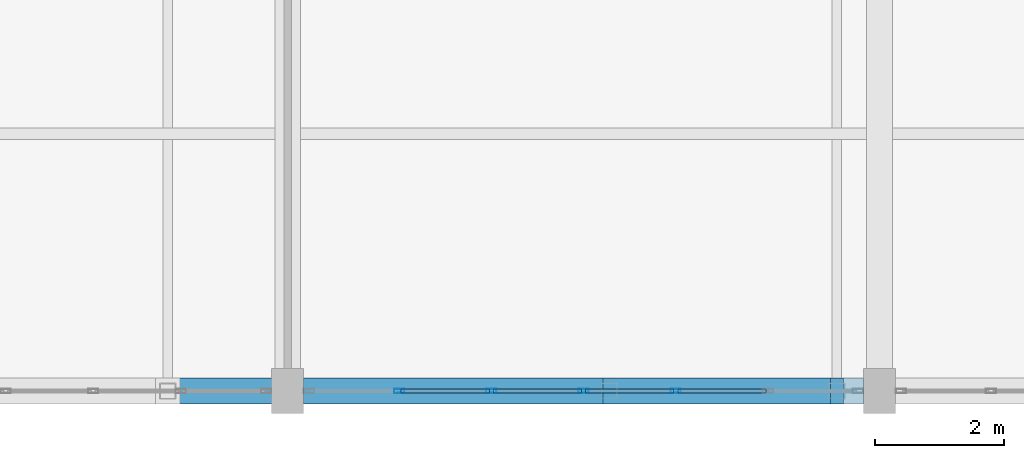
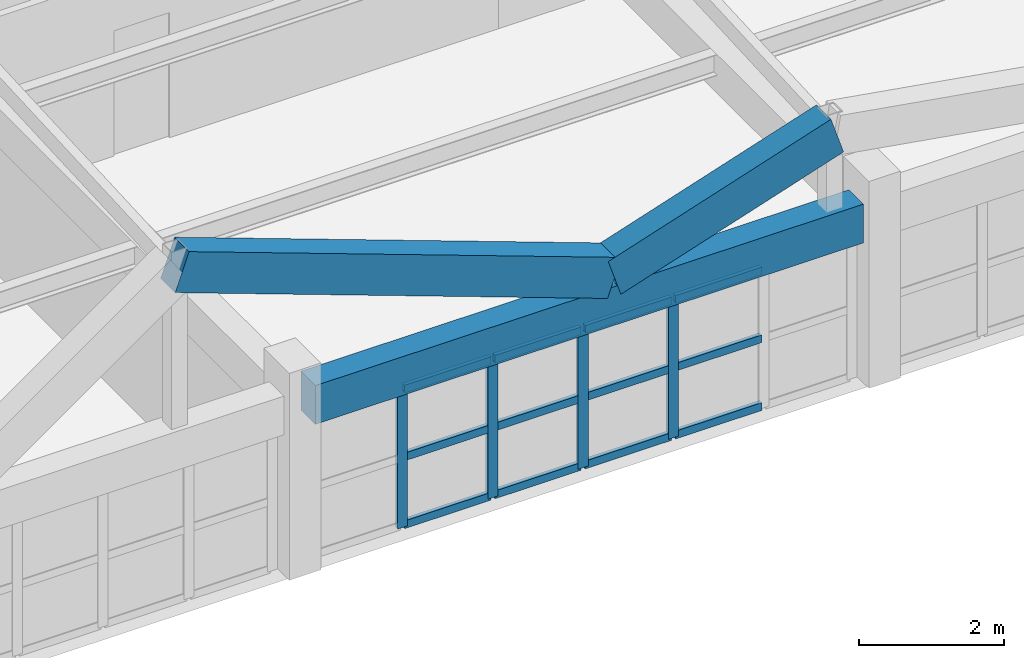
# One storey, part 16 of 127: 16 members, 3 beams, 1 element without a shape of its own.
"""IFC4 building model written with IfcOpenShell, lengths in metres."""

from ifc_helpers import new_model, si_unit, direction, frame, origin, origin_2d, place, context, subcontext, project, spatial, rectangle, hollow_rectangle, extrude, material, material_profile, profile_set, type_object, element, aggregate, save


model = new_model("IFC4")

# Units and contexts
model_context = context("Model", 3, precision=1e-05, world=origin(), true_north=direction((0.0, 1.0)))
body_context = subcontext(model_context, "Body", "Model", "MODEL_VIEW")
ifc_project = project(units=[si_unit("LENGTHUNIT", "METRE"), si_unit("AREAUNIT", "SQUARE_METRE"), si_unit("VOLUMEUNIT", "CUBIC_METRE"), si_unit("PLANEANGLEUNIT", "RADIAN"), si_unit("MASSUNIT", "GRAM", prefix="KILO")], contexts=[model_context])

# Site, building, storey
site_placement = place(None, origin())
site = spatial("IfcSite", under=ifc_project, at=site_placement, CompositionType="ELEMENT")
building_placement = place(site_placement, origin())
building = spatial("IfcBuilding", under=site, at=building_placement, Name="Kestramere Prow Commons", CompositionType="ELEMENT")
storey_placement = place(building_placement, frame((0.0, 0.0, 8.39990234375)))
storey = spatial("IfcBuildingStorey", under=building, at=storey_placement, Name="L02", CompositionType="ELEMENT", Elevation=8.39990234375)

# Beams
ifc_material_1 = material(Name="Precast concrete C40/50", Category="concrete")
ifc_material_profile_1 = material_profile(ifc_material_1, rectangle(XDim=0.39990234375, YDim=0.64990234375, at=origin_2d()), Name="PC-BM 400x650")
ifc_profile_set_1 = profile_set([ifc_material_profile_1], Name="Precast concrete C40/50")
beam_type = type_object("IfcBeamType", Name="BM-MK-01 PC-BM 400x650 (EX)", PredefinedType="BEAM", material=ifc_profile_set_1)
beam_1_placement = place(storey_placement, frame((76.050048828125, 0.0, 2.675048828125), z_axis=(1.0, 0.0, 0.0), x_axis=(0.0, 1.0, 0.0)))
element("IfcBeam", 1, at=beam_1_placement, inside=storey, type_object=beam_type, Name="Market Spine L02 Beam X 1-3", PredefinedType="BEAM", context=body_context, shape_type="SweptSolid", body=[
    extrude(rectangle(XDim=0.39990234375, YDim=0.64990234375, at=origin_2d()), origin(), (0.0, 0.0, 1.0), 8.699951171875),
])
beam_2_placement = place(storey_placement, frame((73.93603515625, 0.0, 5.64501953125), z_axis=(0.939617658725, 0.0, -0.342226029712), x_axis=(0.0, 1.0, 0.0)))
element("IfcBeam", 2, at=beam_2_placement, inside=storey, type_object=beam_type, Name="Market Folded Rafter 2R-0", PredefinedType="BEAM", context=body_context, shape_type="SweptSolid", body=[
    extrude(rectangle(XDim=0.39990234375, YDim=0.64990234375, at=origin_2d()), origin(), (0.0, 0.0, 1.0), 7.30517578125),
])
beam_3_placement = place(storey_placement, frame((80.800048828125, 0.0, 3.14501953125), z_axis=(0.950956352568, 0.0, 0.3093250968), x_axis=(0.0, 1.0, 0.0)))
element("IfcBeam", 3, at=beam_3_placement, inside=storey, type_object=beam_type, Name="Market Folded Rafter 3L-0", PredefinedType="BEAM", context=body_context, shape_type="SweptSolid", body=[
    extrude(rectangle(XDim=0.39990234375, YDim=0.64990234375, at=origin_2d()), origin(), (0.0, 0.0, 1.0), 3.71826171875),
])

# Curtain wall, members
ifc_material_2 = material(Name="Anodised Aluminium and Low-E Glass", Category="aluminium")
curtain_wall_type = type_object("IfcCurtainWallType", Name="CW-30 Glazed Curtain Wall 8600x2340", PredefinedType="USERDEFINED", material=ifc_material_2)
curtain_wall_placement = place(storey_placement, origin())
curtain_wall = element("IfcCurtainWall", 4, at=curtain_wall_placement, inside=storey, type_object=curtain_wall_type, Name="Market L02 South Shopfront 3", ObjectType="GLAZED CURTAIN WALL", PredefinedType="USERDEFINED")
ifc_material_3 = material(Name="Anodised Aluminium 6063-T6", Category="aluminium")
ifc_material_profile_2 = material_profile(ifc_material_3, hollow_rectangle(XDim=0.06494140625, YDim=0.159912109375, WallThickness=0.00390625, at=origin_2d()), Name="ALU-MUL 65x160")
ifc_profile_set_2 = profile_set([ifc_material_profile_2], Name="Anodised Aluminium 6063-T6")
member_type_1 = type_object("IfcMemberType", Name="CW-MUL-65x160", PredefinedType="MULLION", material=ifc_profile_set_2)
member_1_placement = place(storey_placement, frame((81.833251953125, 0.0, 0.0), z_axis=(0.0, 0.0, 1.0), x_axis=(0.0, -1.0, 0.0)))
member_1 = element("IfcMember", 5, at=member_1_placement, type_object=member_type_1, Name="CW-30 mullion 3", PredefinedType="MULLION", context=body_context, shape_type="SweptSolid", body=[
    extrude(hollow_rectangle(XDim=0.06494140625, YDim=0.159912109375, WallThickness=0.00390625, at=origin_2d()), origin(), (0.0, 0.0, 1.0), 2.340087890625),
])
member_2_placement = place(storey_placement, frame((80.39990234375, 0.0, 0.0), z_axis=(0.0, 0.0, 1.0), x_axis=(0.0, -1.0, 0.0)))
member_2 = element("IfcMember", 6, at=member_2_placement, type_object=member_type_1, Name="CW-30 mullion 4", PredefinedType="MULLION", context=body_context, shape_type="SweptSolid", body=[
    extrude(hollow_rectangle(XDim=0.06494140625, YDim=0.159912109375, WallThickness=0.00390625, at=origin_2d()), origin(), (0.0, 0.0, 1.0), 2.340087890625),
])
member_3_placement = place(storey_placement, frame((78.966552734375, 0.0, 0.0), z_axis=(0.0, 0.0, 1.0), x_axis=(0.0, -1.0, 0.0)))
member_3 = element("IfcMember", 7, at=member_3_placement, type_object=member_type_1, Name="CW-30 mullion 5", PredefinedType="MULLION", context=body_context, shape_type="SweptSolid", body=[
    extrude(hollow_rectangle(XDim=0.06494140625, YDim=0.159912109375, WallThickness=0.00390625, at=origin_2d()), origin(), (0.0, 0.0, 1.0), 2.340087890625),
])
member_4_placement = place(storey_placement, frame((77.533447265625, 0.0, 0.0), z_axis=(0.0, 0.0, 1.0), x_axis=(0.0, -1.0, 0.0)))
member_4 = element("IfcMember", 8, at=member_4_placement, type_object=member_type_1, Name="CW-30 mullion 6", PredefinedType="MULLION", context=body_context, shape_type="SweptSolid", body=[
    extrude(hollow_rectangle(XDim=0.06494140625, YDim=0.159912109375, WallThickness=0.00390625, at=origin_2d()), origin(), (0.0, 0.0, 1.0), 2.340087890625),
])
ifc_material_profile_3 = material_profile(ifc_material_3, hollow_rectangle(XDim=0.06494140625, YDim=0.1298828125, WallThickness=0.00390625, at=origin_2d()), Name="ALU-TRN 65x130")
ifc_profile_set_3 = profile_set([ifc_material_profile_3], Name="Anodised Aluminium 6063-T6")
member_type_2 = type_object("IfcMemberType", Name="CW-TRN-65x130", PredefinedType="USERDEFINED", material=ifc_profile_set_3)
member_5_placement = place(storey_placement, frame((83.234130859375, 0.0, 0.03271484375), z_axis=(-1.0, 0.0, 0.0), x_axis=(0.0, -1.0, 0.0)))
member_5 = element("IfcMember", 9, at=member_5_placement, type_object=member_type_2, Name="CW-30 transom 2.1", ObjectType="TRANSOM", PredefinedType="USERDEFINED", context=body_context, shape_type="SweptSolid", body=[
    extrude(hollow_rectangle(XDim=0.06494140625, YDim=0.1298828125, WallThickness=0.00390625, at=origin_2d()), origin(), (0.0, 0.0, 1.0), 1.368408203125),
])
member_6_placement = place(storey_placement, frame((83.234130859375, 0.0, 1.170166015625), z_axis=(-1.0, 0.0, 0.0), x_axis=(0.0, -1.0, 0.0)))
member_6 = element("IfcMember", 10, at=member_6_placement, type_object=member_type_2, Name="CW-30 transom 2.2", ObjectType="TRANSOM", PredefinedType="USERDEFINED", context=body_context, shape_type="SweptSolid", body=[
    extrude(hollow_rectangle(XDim=0.06494140625, YDim=0.1298828125, WallThickness=0.00390625, at=origin_2d()), origin(), (0.0, 0.0, 1.0), 1.368408203125),
])
member_7_placement = place(storey_placement, frame((83.234130859375, 0.0, 2.3076171875), z_axis=(-1.0, 0.0, 0.0), x_axis=(0.0, -1.0, 0.0)))
member_7 = element("IfcMember", 11, at=member_7_placement, type_object=member_type_2, Name="CW-30 transom 2.3", ObjectType="TRANSOM", PredefinedType="USERDEFINED", context=body_context, shape_type="SweptSolid", body=[
    extrude(hollow_rectangle(XDim=0.06494140625, YDim=0.1298828125, WallThickness=0.00390625, at=origin_2d()), origin(), (0.0, 0.0, 1.0), 1.368408203125),
])
member_8_placement = place(storey_placement, frame((81.80078125, 0.0, 0.03271484375), z_axis=(-1.0, 0.0, 0.0), x_axis=(0.0, -1.0, 0.0)))
member_8 = element("IfcMember", 12, at=member_8_placement, type_object=member_type_2, Name="CW-30 transom 3.1", ObjectType="TRANSOM", PredefinedType="USERDEFINED", context=body_context, shape_type="SweptSolid", body=[
    extrude(hollow_rectangle(XDim=0.06494140625, YDim=0.1298828125, WallThickness=0.00390625, at=origin_2d()), origin(), (0.0, 0.0, 1.0), 1.3681640625),
])
member_9_placement = place(storey_placement, frame((81.80078125, 0.0, 1.170166015625), z_axis=(-1.0, 0.0, 0.0), x_axis=(0.0, -1.0, 0.0)))
member_9 = element("IfcMember", 13, at=member_9_placement, type_object=member_type_2, Name="CW-30 transom 3.2", ObjectType="TRANSOM", PredefinedType="USERDEFINED", context=body_context, shape_type="SweptSolid", body=[
    extrude(hollow_rectangle(XDim=0.06494140625, YDim=0.1298828125, WallThickness=0.00390625, at=origin_2d()), origin(), (0.0, 0.0, 1.0), 1.3681640625),
])
member_10_placement = place(storey_placement, frame((81.80078125, 0.0, 2.3076171875), z_axis=(-1.0, 0.0, 0.0), x_axis=(0.0, -1.0, 0.0)))
member_10 = element("IfcMember", 14, at=member_10_placement, type_object=member_type_2, Name="CW-30 transom 3.3", ObjectType="TRANSOM", PredefinedType="USERDEFINED", context=body_context, shape_type="SweptSolid", body=[
    extrude(hollow_rectangle(XDim=0.06494140625, YDim=0.1298828125, WallThickness=0.00390625, at=origin_2d()), origin(), (0.0, 0.0, 1.0), 1.3681640625),
])
member_11_placement = place(storey_placement, frame((80.367431640625, 0.0, 0.03271484375), z_axis=(-1.0, 0.0, 0.0), x_axis=(0.0, -1.0, 0.0)))
member_11 = element("IfcMember", 15, at=member_11_placement, type_object=member_type_2, Name="CW-30 transom 4.1", ObjectType="TRANSOM", PredefinedType="USERDEFINED", context=body_context, shape_type="SweptSolid", body=[
    extrude(hollow_rectangle(XDim=0.06494140625, YDim=0.1298828125, WallThickness=0.00390625, at=origin_2d()), origin(), (0.0, 0.0, 1.0), 1.3681640625),
])
member_12_placement = place(storey_placement, frame((80.367431640625, 0.0, 1.170166015625), z_axis=(-1.0, 0.0, 0.0), x_axis=(0.0, -1.0, 0.0)))
member_12 = element("IfcMember", 16, at=member_12_placement, type_object=member_type_2, Name="CW-30 transom 4.2", ObjectType="TRANSOM", PredefinedType="USERDEFINED", context=body_context, shape_type="SweptSolid", body=[
    extrude(hollow_rectangle(XDim=0.06494140625, YDim=0.1298828125, WallThickness=0.00390625, at=origin_2d()), origin(), (0.0, 0.0, 1.0), 1.3681640625),
])
member_13_placement = place(storey_placement, frame((80.367431640625, 0.0, 2.3076171875), z_axis=(-1.0, 0.0, 0.0), x_axis=(0.0, -1.0, 0.0)))
member_13 = element("IfcMember", 17, at=member_13_placement, type_object=member_type_2, Name="CW-30 transom 4.3", ObjectType="TRANSOM", PredefinedType="USERDEFINED", context=body_context, shape_type="SweptSolid", body=[
    extrude(hollow_rectangle(XDim=0.06494140625, YDim=0.1298828125, WallThickness=0.00390625, at=origin_2d()), origin(), (0.0, 0.0, 1.0), 1.3681640625),
])
member_14_placement = place(storey_placement, frame((78.93408203125, 0.0, 0.03271484375), z_axis=(-1.0, 0.0, 0.0), x_axis=(0.0, -1.0, 0.0)))
member_14 = element("IfcMember", 18, at=member_14_placement, type_object=member_type_2, Name="CW-30 transom 5.1", ObjectType="TRANSOM", PredefinedType="USERDEFINED", context=body_context, shape_type="SweptSolid", body=[
    extrude(hollow_rectangle(XDim=0.06494140625, YDim=0.1298828125, WallThickness=0.00390625, at=origin_2d()), origin(), (0.0, 0.0, 1.0), 1.3681640625),
])
member_15_placement = place(storey_placement, frame((78.93408203125, 0.0, 1.170166015625), z_axis=(-1.0, 0.0, 0.0), x_axis=(0.0, -1.0, 0.0)))
member_15 = element("IfcMember", 19, at=member_15_placement, type_object=member_type_2, Name="CW-30 transom 5.2", ObjectType="TRANSOM", PredefinedType="USERDEFINED", context=body_context, shape_type="SweptSolid", body=[
    extrude(hollow_rectangle(XDim=0.06494140625, YDim=0.1298828125, WallThickness=0.00390625, at=origin_2d()), origin(), (0.0, 0.0, 1.0), 1.3681640625),
])
member_16_placement = place(storey_placement, frame((78.93408203125, 0.0, 2.3076171875), z_axis=(-1.0, 0.0, 0.0), x_axis=(0.0, -1.0, 0.0)))
member_16 = element("IfcMember", 20, at=member_16_placement, type_object=member_type_2, Name="CW-30 transom 5.3", ObjectType="TRANSOM", PredefinedType="USERDEFINED", context=body_context, shape_type="SweptSolid", body=[
    extrude(hollow_rectangle(XDim=0.06494140625, YDim=0.1298828125, WallThickness=0.00390625, at=origin_2d()), origin(), (0.0, 0.0, 1.0), 1.3681640625),
])
aggregate(curtain_wall, [member_1, member_2, member_3, member_4, member_5, member_6, member_7, member_8, member_9, member_10, member_11, member_12, member_13, member_14, member_15, member_16])

save(model, "model.ifc")
